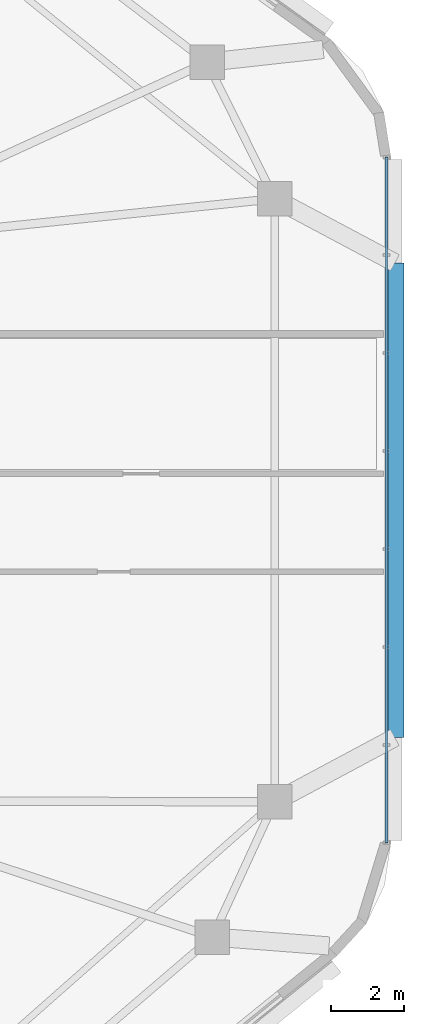
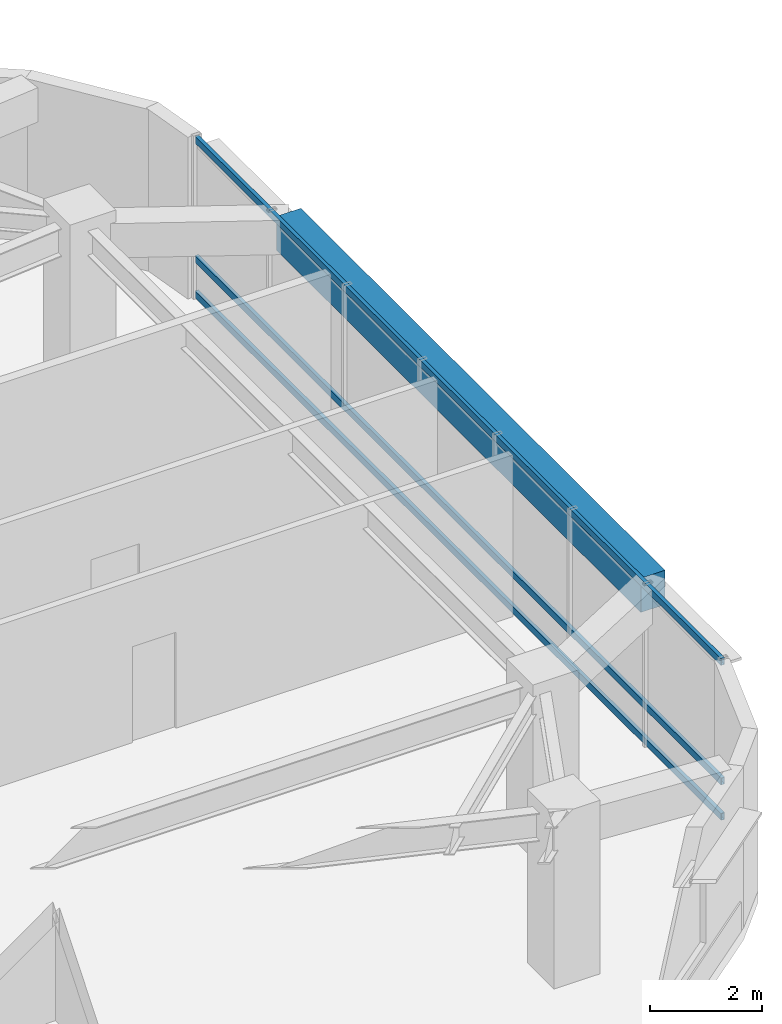
# One storey, part 4 of 14: 3 members, 1 beam, 1 element without a shape of its own.
"""IFC4 building model written with IfcOpenShell, lengths in metres."""

from ifc_helpers import new_model, si_unit, direction, frame, origin, origin_2d, place, context, subcontext, project, spatial, rectangle, hollow_rectangle, extrude, material, material_profile, profile_set, type_object, element, aggregate, save


model = new_model("IFC4")

# Units and contexts
model_context = context("Model", 3, precision=1e-05, world=origin(), true_north=direction((0.0, 1.0)))
body_context = subcontext(model_context, "Body", "Model", "MODEL_VIEW")
ifc_project = project(units=[si_unit("LENGTHUNIT", "METRE"), si_unit("AREAUNIT", "SQUARE_METRE"), si_unit("VOLUMEUNIT", "CUBIC_METRE"), si_unit("PLANEANGLEUNIT", "RADIAN"), si_unit("MASSUNIT", "GRAM", prefix="KILO")], contexts=[model_context])

# Site, building, storey
site_placement = place(None, origin())
site = spatial("IfcSite", under=ifc_project, at=site_placement, CompositionType="ELEMENT")
building_placement = place(site_placement, origin())
building = spatial("IfcBuilding", under=site, at=building_placement, Name="Zulverin Broadcast Headquarters", CompositionType="ELEMENT")
storey_placement = place(building_placement, frame((0.0, 0.0, 201.0)))
storey = spatial("IfcBuildingStorey", under=building, at=storey_placement, Name="L51", CompositionType="ELEMENT", Elevation=201.0)

# Beam
ifc_material_1 = material(Name="Concrete C40/50", Category="concrete")
ifc_material_profile_1 = material_profile(ifc_material_1, rectangle(XDim=0.5, YDim=0.75, at=origin_2d()), Name="Concrete C40/50", Category="concrete")
ifc_profile_set_1 = profile_set([ifc_material_profile_1], Name="Concrete C40/50")
beam_type = type_object("IfcBeamType", Name="BM-RC-500x750", PredefinedType="BEAM", material=ifc_profile_set_1)
beam_placement = place(storey_placement, frame((63.90576171875, 19.289794921875, 3.1650390625), z_axis=(0.000298908969, 0.999999955327, 0.0), x_axis=(-0.999999955327, 0.000298908969, 0.0)))
element("IfcBeam", 1, at=beam_placement, inside=storey, type_object=beam_type, Name="L52 Balcony Outer Edge Trimmer Beam BAL_E", PredefinedType="BEAM", context=body_context, shape_type="SweptSolid", body=[
    extrude(rectangle(XDim=0.5, YDim=0.75, at=origin_2d()), origin(), (0.0, 0.0, 1.0), 13.068359375),
])

# Curtain wall, members
ifc_material_2 = material(Name="Waist wind-pressure unitised curtain wall", Category="aluminium")
curtain_wall_type = type_object("IfcCurtainWallType", Name="CW-TWR-WST", PredefinedType="USERDEFINED", material=ifc_material_2)
curtain_wall_placement = place(storey_placement, origin())
curtain_wall = element("IfcCurtainWall", 2, at=curtain_wall_placement, inside=storey, type_object=curtain_wall_type, Name="L51 Unitised Curtain Wall CW-L51-E3", ObjectType="UNITISED CURTAIN WALL", PredefinedType="USERDEFINED")
ifc_material_3 = material(Name="Anodized pale-metal aluminium alloy 6063-T6", Category="aluminium")
ifc_material_profile_2 = material_profile(ifc_material_3, hollow_rectangle(XDim=0.074951171875, YDim=0.14990234375, WallThickness=0.0048828125, at=origin_2d()), Name="Anodized pale-metal aluminium alloy 6063-T6", Category="aluminium")
ifc_profile_set_2 = profile_set([ifc_material_profile_2], Name="Anodized pale-metal aluminium alloy 6063-T6")
member_type = type_object("IfcMemberType", Name="CW-TRN-150", PredefinedType="USERDEFINED", material=ifc_profile_set_2)
member_1_placement = place(storey_placement, frame((63.679931640625, 16.390380859375, 0.074951171875), z_axis=(0.0, 1.0, 0.0), x_axis=(-1.0, 0.0, 0.0)))
member_1 = element("IfcMember", 3, at=member_1_placement, type_object=member_type, Name="CW-L51-E3 Transom 0", ObjectType="TRANSOM", PredefinedType="USERDEFINED", context=body_context, shape_type="SweptSolid", body=[
    extrude(hollow_rectangle(XDim=0.074951171875, YDim=0.14990234375, WallThickness=0.0048828125, at=origin_2d()), origin(), (0.0, 0.0, 1.0), 18.875732421875),
])
member_2_placement = place(storey_placement, frame((63.679931640625, 16.390380859375, 0.849609375), z_axis=(0.0, 1.0, 0.0), x_axis=(-1.0, 0.0, 0.0)))
member_2 = element("IfcMember", 4, at=member_2_placement, type_object=member_type, Name="CW-L51-E3 Transom 1", ObjectType="TRANSOM", PredefinedType="USERDEFINED", context=body_context, shape_type="SweptSolid", body=[
    extrude(hollow_rectangle(XDim=0.074951171875, YDim=0.14990234375, WallThickness=0.0048828125, at=origin_2d()), origin(), (0.0, 0.0, 1.0), 18.875732421875),
])
member_3_placement = place(storey_placement, frame((63.679931640625, 16.390380859375, 3.465087890625), z_axis=(0.0, 1.0, 0.0), x_axis=(-1.0, 0.0, 0.0)))
member_3 = element("IfcMember", 5, at=member_3_placement, type_object=member_type, Name="CW-L51-E3 Transom 2", ObjectType="TRANSOM", PredefinedType="USERDEFINED", context=body_context, shape_type="SweptSolid", body=[
    extrude(hollow_rectangle(XDim=0.074951171875, YDim=0.14990234375, WallThickness=0.0048828125, at=origin_2d()), origin(), (0.0, 0.0, 1.0), 18.875732421875),
])
aggregate(curtain_wall, [member_1, member_2, member_3])

save(model, "model.ifc")
